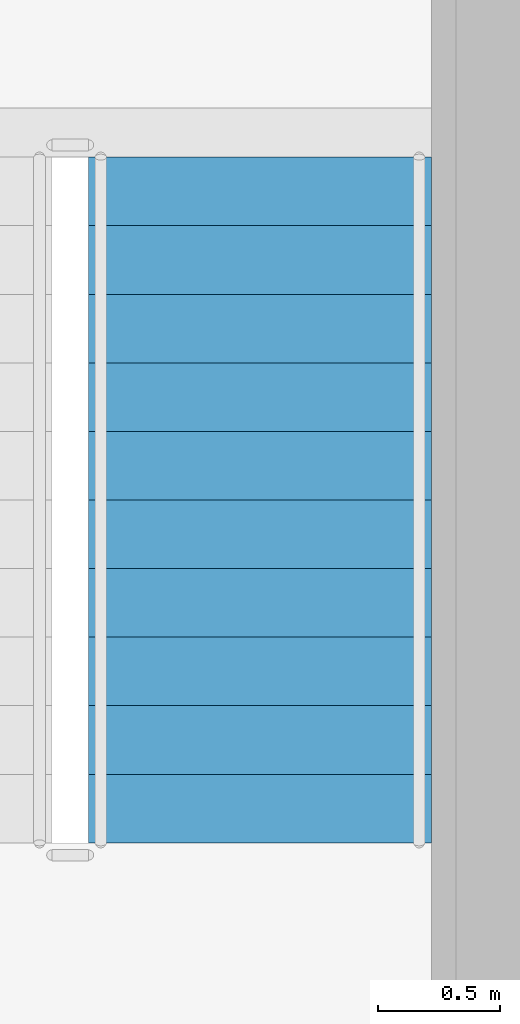
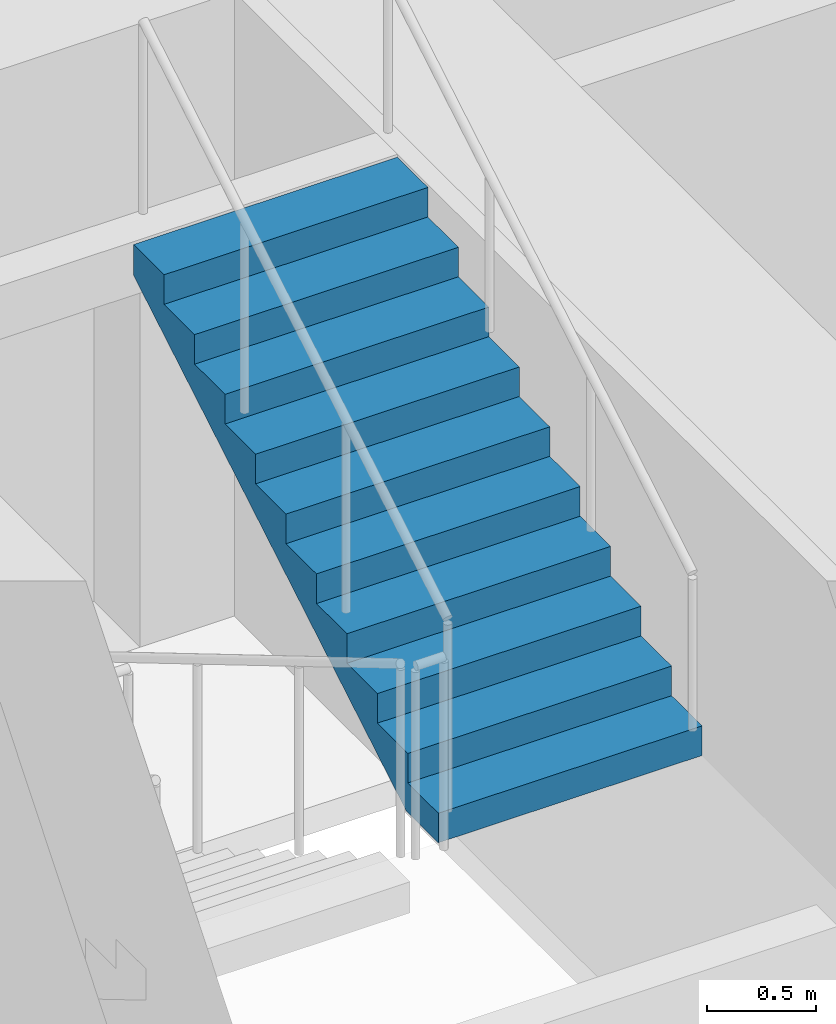
# One storey, part 17 of 24: 1 stair flight, 1 element without a shape of its own.
"""IFC4 building model written with IfcOpenShell, lengths in metres."""

from ifc_helpers import new_model, si_unit, direction, frame, origin, place, context, subcontext, project, spatial, polyline, outline, extrude, material, type_object, element, aggregate, save


model = new_model("IFC4")

# Units and contexts
model_context = context("Model", 3, precision=1e-05, world=origin(), true_north=direction((0.0, 1.0)))
body_context = subcontext(model_context, "Body", "Model", "MODEL_VIEW")
ifc_project = project(units=[si_unit("LENGTHUNIT", "METRE"), si_unit("AREAUNIT", "SQUARE_METRE"), si_unit("VOLUMEUNIT", "CUBIC_METRE"), si_unit("PLANEANGLEUNIT", "RADIAN"), si_unit("MASSUNIT", "GRAM", prefix="KILO")], contexts=[model_context])

# Site, building, storey
site_placement = place(None, origin())
site = spatial("IfcSite", under=ifc_project, at=site_placement, CompositionType="ELEMENT")
building_placement = place(site_placement, origin())
building = spatial("IfcBuilding", under=site, at=building_placement, Name="Isthmus Gate Tower", CompositionType="ELEMENT")
storey_placement = place(building_placement, frame((0.0, 0.0, 80.64990234375)))
storey = spatial("IfcBuildingStorey", under=building, at=storey_placement, Name="L18", CompositionType="ELEMENT", Elevation=80.64990234375)

# Stair, stair flight
ifc_material_1 = material(Name="Concrete f'c 40 MPa", Category="concrete")
stair_type = type_object("IfcStairType", Name="CORE STAIR 22 RISERS", PredefinedType="HALF_TURN_STAIR", material=ifc_material_1)
stair_placement = place(storey_placement, origin())
stair = element("IfcStair", 1, at=stair_placement, inside=storey, type_object=stair_type, Name="L18 Exit Stair 2", PredefinedType="HALF_TURN_STAIR")
ifc_material_2 = material(Name="Concrete f'c 40 MPa", Category="concrete")
stair_flight_type = type_object("IfcStairFlightType", Name="STAIR FLIGHT RC 1400", PredefinedType="STRAIGHT", material=ifc_material_2)
stair_flight_placement = place(storey_placement, frame((13.300048828125, 9.800048828125, 1.8251953125), z_axis=(0.0, 0.0, 1.0), x_axis=(0.0, 1.0, 0.0)))
stair_flight = element("IfcStairFlight", 2, at=stair_flight_placement, type_object=stair_flight_type, Name="ST2 flight 2", NumberOfRisers=11, NumberOfTreads=10, PredefinedType="STRAIGHT", RiserHeight=0.165909091, TreadLength=0.28, context=body_context, shape_type="SweptSolid", body=[
    extrude(outline(polyline([(0.0, 0.0), (0.0, 0.166015625), (0.280029296875, 0.166015625), (0.280029296875, 0.331787109375), (0.56005859375, 0.331787109375), (0.56005859375, 0.497802734375), (0.840087890625, 0.497802734375), (0.840087890625, 0.66357421875), (1.1201171875, 0.66357421875), (1.1201171875, 0.82958984375), (1.39990234375, 0.82958984375), (1.39990234375, 0.995361328125), (1.679931640625, 0.995361328125), (1.679931640625, 1.161376953125), (1.9599609375, 1.161376953125), (1.9599609375, 1.327392578125), (2.239990234375, 1.327392578125), (2.239990234375, 1.4931640625), (2.52001953125, 1.4931640625), (2.52001953125, 1.6591796875), (2.800048828125, 1.6591796875), (2.800048828125, 1.824951171875), (2.800048828125, 1.48486328125), (0.2939453125, 0.0), (0.0, 0.0)])), frame((0.0, 0.699951171875, 0.0), z_axis=(0.0, -1.0, 0.0), x_axis=(1.0, 0.0, 0.0)), (0.0, 0.0, 1.0), 1.39990234375),
])
aggregate(stair, [stair_flight])

save(model, "model.ifc")
